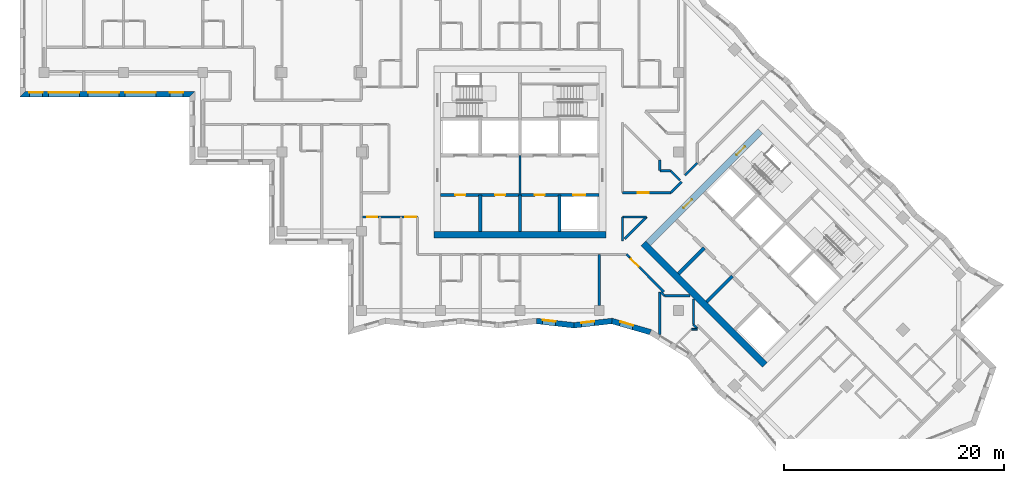
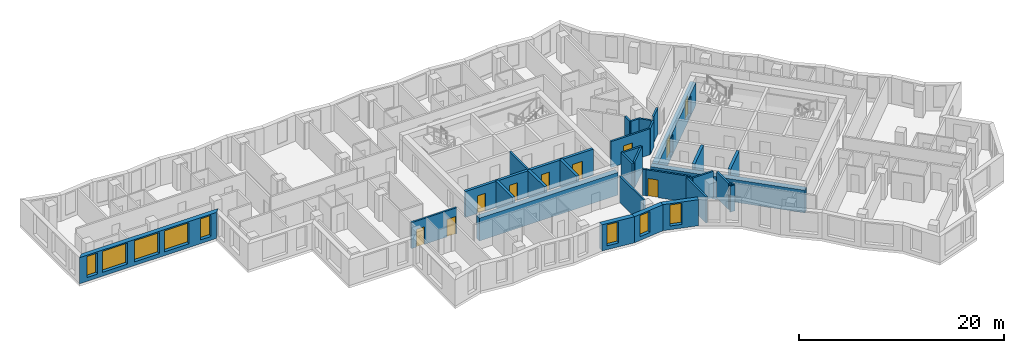
# One storey, part 3 of 12: 33 walls, 10 doors, 8 windows, 18 openings.
"""IFC4 building model written with IfcOpenShell, lengths in metres."""

from ifc_helpers import new_model, si_unit, direction, frame, frame_2d, origin, place, context, subcontext, project, spatial, polyline, rectangle, outline, extrude, material, layer, layer_set, type_object, element, fill, save


model = new_model("IFC4")

# Units and contexts
model_context = context("Model", 3, precision=1e-05, world=origin(), true_north=direction((0.0, 1.0)))
body_context = subcontext(model_context, "Body", "Model", "MODEL_VIEW")
ifc_project = project(units=[si_unit("LENGTHUNIT", "METRE"), si_unit("AREAUNIT", "SQUARE_METRE"), si_unit("VOLUMEUNIT", "CUBIC_METRE"), si_unit("PLANEANGLEUNIT", "RADIAN"), si_unit("MASSUNIT", "GRAM", prefix="KILO")], contexts=[model_context])

# Site, building, storey
site_placement = place(None, origin())
site = spatial("IfcSite", under=ifc_project, at=site_placement, CompositionType="ELEMENT")
building_placement = place(site_placement, origin())
building = spatial("IfcBuilding", under=site, at=building_placement, Name="Windrow Commons", CompositionType="ELEMENT")
storey_placement = place(building_placement, frame((0.0, 0.0, 145.6)))
storey = spatial("IfcBuildingStorey", under=building, at=storey_placement, Name="L39", CompositionType="ELEMENT", Elevation=145.6)

# Wall, openings, windows
ifc_material_1 = material(Name="Brick masonry, red clay brick", Category="masonry")
ifc_layer_1 = layer(ifc_material_1, 0.5)
ifc_layer_set_1 = layer_set([ifc_layer_1], Name="Brick facade wall 500")
wall_type_1 = type_object("IfcWallType", Name="Brick facade wall 500", PredefinedType="SOLIDWALL", material=ifc_layer_set_1)
wall_1_placement = place(storey_placement, frame((19.659, 62.859, 0.0), z_axis=(0.0, 0.0, 1.0), x_axis=(1.0, 0.0, 0.0)))
wall_1 = element("IfcWall", 1, at=wall_1_placement, inside=storey, type_object=wall_type_1, Name="Brick facade wall L39 36", PredefinedType="SOLIDWALL", context=body_context, shape_type="SweptSolid", body=[
    extrude(outline(polyline([(-0.25, -0.25), (15.141, -0.25), (15.641, 0.25), (0.25, 0.25), (-0.25, -0.25)])), origin(), (0.0, 0.0, 1.0), 3.1),
])
opening_1_placement = place(wall_1_placement, frame((2.341, 0.0, 0.45)))
opening_1 = element("IfcOpeningElement", 2, at=opening_1_placement, cuts=wall_1, Name="Opening W1U", PredefinedType="OPENING", context=body_context, shape_type="SweptSolid", body=[
    extrude(rectangle(XDim=2.8, YDim=2.5, at=frame_2d((1.4, 1.25))), frame((0.0, 0.26, 0.0), z_axis=(0.0, -1.0, 0.0), x_axis=(1.0, 0.0, 0.0)), (0.0, 0.0, 1.0), 0.52),
])
opening_2_placement = place(wall_1_placement, frame((5.941, 0.0, 0.45)))
opening_2 = element("IfcOpeningElement", 3, at=opening_2_placement, cuts=wall_1, Name="Opening W1U", PredefinedType="OPENING", context=body_context, shape_type="SweptSolid", body=[
    extrude(rectangle(XDim=2.8, YDim=2.5, at=frame_2d((1.4, 1.25))), frame((0.0, 0.26, 0.0), z_axis=(0.0, -1.0, 0.0), x_axis=(1.0, 0.0, 0.0)), (0.0, 0.0, 1.0), 0.52),
])
opening_3_placement = place(wall_1_placement, frame((9.291, 0.0, 0.45)))
opening_3 = element("IfcOpeningElement", 4, at=opening_3_placement, cuts=wall_1, Name="Opening W1U", PredefinedType="OPENING", context=body_context, shape_type="SweptSolid", body=[
    extrude(rectangle(XDim=2.8, YDim=2.5, at=frame_2d((1.4, 1.25))), frame((0.0, 0.26, 0.0), z_axis=(0.0, -1.0, 0.0), x_axis=(1.0, 0.0, 0.0)), (0.0, 0.0, 1.0), 0.52),
])
opening_4_placement = place(wall_1_placement, frame((0.5955, 0.0, 0.45)))
opening_4 = element("IfcOpeningElement", 5, at=opening_4_placement, cuts=wall_1, Name="Opening W7E", PredefinedType="OPENING", context=body_context, shape_type="SweptSolid", body=[
    extrude(rectangle(XDim=1.2, YDim=2.5, at=frame_2d((0.6, 1.25))), frame((0.0, 0.26, 0.0), z_axis=(0.0, -1.0, 0.0), x_axis=(1.0, 0.0, 0.0)), (0.0, 0.0, 1.0), 0.52),
])
opening_5_placement = place(wall_1_placement, frame((13.366, 0.0, 0.45)))
opening_5 = element("IfcOpeningElement", 6, at=opening_5_placement, cuts=wall_1, Name="Opening W7E", PredefinedType="OPENING", context=body_context, shape_type="SweptSolid", body=[
    extrude(rectangle(XDim=1.2, YDim=2.5, at=frame_2d((0.6, 1.25))), frame((0.0, 0.26, 0.0), z_axis=(0.0, -1.0, 0.0), x_axis=(1.0, 0.0, 0.0)), (0.0, 0.0, 1.0), 0.52),
])
ifc_material_2 = material(Name="Clear float glass in anodised aluminium frame", Category="aluminium")
window_type_1 = type_object("IfcWindowType", Name="Window W1U bedroom 2800x2500", PartitioningType="SINGLE_PANEL", PredefinedType="WINDOW", material=ifc_material_2)
window_1_placement = place(opening_1_placement, origin())
window_1 = element("IfcWindow", 7, at=window_1_placement, inside=storey, type_object=window_type_1, Name="Window L39 36.1", OverallHeight=2.5, OverallWidth=2.8, PartitioningType="SINGLE_PANEL", PredefinedType="WINDOW", context=body_context, shape_type="SweptSolid", body=[
    extrude(rectangle(XDim=2.8, YDim=2.5, at=frame_2d((1.4, 1.25))), frame((0.0, 0.18, 0.0), z_axis=(0.0, -1.0, 0.0), x_axis=(1.0, 0.0, 0.0)), (0.0, 0.0, 1.0), 0.06),
])
fill(opening_1, window_1)
window_2_placement = place(opening_2_placement, origin())
window_2 = element("IfcWindow", 8, at=window_2_placement, inside=storey, type_object=window_type_1, Name="Window L39 36.2", OverallHeight=2.5, OverallWidth=2.8, PartitioningType="SINGLE_PANEL", PredefinedType="WINDOW", context=body_context, shape_type="SweptSolid", body=[
    extrude(rectangle(XDim=2.8, YDim=2.5, at=frame_2d((1.4, 1.25))), frame((0.0, 0.18, 0.0), z_axis=(0.0, -1.0, 0.0), x_axis=(1.0, 0.0, 0.0)), (0.0, 0.0, 1.0), 0.06),
])
fill(opening_2, window_2)
window_3_placement = place(opening_3_placement, origin())
window_3 = element("IfcWindow", 9, at=window_3_placement, inside=storey, type_object=window_type_1, Name="Window L39 36.3", OverallHeight=2.5, OverallWidth=2.8, PartitioningType="SINGLE_PANEL", PredefinedType="WINDOW", context=body_context, shape_type="SweptSolid", body=[
    extrude(rectangle(XDim=2.8, YDim=2.5, at=frame_2d((1.4, 1.25))), frame((0.0, 0.18, 0.0), z_axis=(0.0, -1.0, 0.0), x_axis=(1.0, 0.0, 0.0)), (0.0, 0.0, 1.0), 0.06),
])
fill(opening_3, window_3)
ifc_material_3 = material(Name="Clear float glass in anodised aluminium frame", Category="aluminium")
window_type_2 = type_object("IfcWindowType", Name="Window W7 notch 1200x2500", PartitioningType="SINGLE_PANEL", PredefinedType="WINDOW", material=ifc_material_3)
window_4_placement = place(opening_4_placement, origin())
window_4 = element("IfcWindow", 10, at=window_4_placement, inside=storey, type_object=window_type_2, Name="Window L39 36.4", OverallHeight=2.5, OverallWidth=1.2, PartitioningType="SINGLE_PANEL", PredefinedType="WINDOW", context=body_context, shape_type="SweptSolid", body=[
    extrude(rectangle(XDim=1.2, YDim=2.5, at=frame_2d((0.6, 1.25))), frame((0.0, 0.18, 0.0), z_axis=(0.0, -1.0, 0.0), x_axis=(1.0, 0.0, 0.0)), (0.0, 0.0, 1.0), 0.06),
])
fill(opening_4, window_4)
window_5_placement = place(opening_5_placement, origin())
window_5 = element("IfcWindow", 11, at=window_5_placement, inside=storey, type_object=window_type_2, Name="Window L39 36.5", OverallHeight=2.5, OverallWidth=1.2, PartitioningType="SINGLE_PANEL", PredefinedType="WINDOW", context=body_context, shape_type="SweptSolid", body=[
    extrude(rectangle(XDim=1.2, YDim=2.5, at=frame_2d((0.6, 1.25))), frame((0.0, 0.18, 0.0), z_axis=(0.0, -1.0, 0.0), x_axis=(1.0, 0.0, 0.0)), (0.0, 0.0, 1.0), 0.06),
])
fill(opening_5, window_5)

# Wall, opening, window
wall_2_placement = place(storey_placement, frame((66.2909, 42.2516, 0.0), z_axis=(0.0, 0.0, 1.0), x_axis=(0.9935212381, -0.1136465988, 0.0)))
wall_2 = element("IfcWall", 12, at=wall_2_placement, inside=storey, type_object=wall_type_1, Name="Brick facade wall L39 47", PredefinedType="SOLIDWALL", context=body_context, shape_type="SweptSolid", body=[
    extrude(outline(polyline([(0.0286, -0.25), (3.4691, -0.25), (3.4119, 0.25), (-0.0286, 0.25), (0.0286, -0.25)])), origin(), (0.0, 0.0, 1.0), 3.1),
])
opening_6_placement = place(wall_2_placement, frame((0.5614, 0.0, 0.45)))
opening_6 = element("IfcOpeningElement", 13, at=opening_6_placement, cuts=wall_2, Name="Opening W7E", PredefinedType="OPENING", context=body_context, shape_type="SweptSolid", body=[
    extrude(rectangle(XDim=1.2, YDim=2.5, at=frame_2d((0.6, 1.25))), frame((0.0, 0.26, 0.0), z_axis=(0.0, -1.0, 0.0), x_axis=(1.0, 0.0, 0.0)), (0.0, 0.0, 1.0), 0.52),
])
window_6_placement = place(opening_6_placement, origin())
window_6 = element("IfcWindow", 14, at=window_6_placement, inside=storey, type_object=window_type_2, Name="Window L39 47.1", OverallHeight=2.5, OverallWidth=1.2, PartitioningType="SINGLE_PANEL", PredefinedType="WINDOW", context=body_context, shape_type="SweptSolid", body=[
    extrude(rectangle(XDim=1.2, YDim=2.5, at=frame_2d((0.6, 1.25))), frame((0.0, 0.18, 0.0), z_axis=(0.0, -1.0, 0.0), x_axis=(1.0, 0.0, 0.0)), (0.0, 0.0, 1.0), 0.06),
])
fill(opening_6, window_6)

wall_3_placement = place(storey_placement, frame((69.7091, 41.8606, 0.0), z_axis=(0.0, 0.0, 1.0), x_axis=(0.9935195387, 0.1136614544, 0.0)))
wall_3 = element("IfcWall", 15, at=wall_3_placement, inside=storey, type_object=wall_type_1, Name="Brick facade wall L39 48", PredefinedType="SOLIDWALL", context=body_context, shape_type="SweptSolid", body=[
    extrude(outline(polyline([(-0.0286, -0.25), (3.4119, -0.25), (3.5122, 0.25), (0.0286, 0.25), (-0.0286, -0.25)])), origin(), (0.0, 0.0, 1.0), 3.1),
])
opening_7_placement = place(wall_3_placement, frame((0.6672, 0.0, 0.45)))
opening_7 = element("IfcOpeningElement", 16, at=opening_7_placement, cuts=wall_3, Name="Opening W7E", PredefinedType="OPENING", context=body_context, shape_type="SweptSolid", body=[
    extrude(rectangle(XDim=1.2, YDim=2.5, at=frame_2d((0.6, 1.25))), frame((0.0, 0.26, 0.0), z_axis=(0.0, -1.0, 0.0), x_axis=(1.0, 0.0, 0.0)), (0.0, 0.0, 1.0), 0.52),
])
window_7_placement = place(opening_7_placement, origin())
window_7 = element("IfcWindow", 17, at=window_7_placement, inside=storey, type_object=window_type_2, Name="Window L39 48.1", OverallHeight=2.5, OverallWidth=1.2, PartitioningType="SINGLE_PANEL", PredefinedType="WINDOW", context=body_context, shape_type="SweptSolid", body=[
    extrude(rectangle(XDim=1.2, YDim=2.5, at=frame_2d((0.6, 1.25))), frame((0.0, 0.18, 0.0), z_axis=(0.0, -1.0, 0.0), x_axis=(1.0, 0.0, 0.0)), (0.0, 0.0, 1.0), 0.06),
])
fill(opening_7, window_7)

wall_4_placement = place(storey_placement, frame((73.1487, 42.2541, 0.0), z_axis=(0.0, 0.0, 1.0), x_axis=(0.9604495537, -0.2784540442, 0.0)))
wall_4 = element("IfcWall", 18, at=wall_4_placement, inside=storey, type_object=wall_type_1, Name="Brick facade wall L39 49", PredefinedType="SOLIDWALL", context=body_context, shape_type="SweptSolid", body=[
    extrude(outline(polyline([(0.0502, -0.25), (3.6091, -0.25), (3.6754, 0.25), (-0.0502, 0.25), (0.0502, -0.25)])), origin(), (0.0, 0.0, 1.0), 3.1),
])
opening_8_placement = place(wall_4_placement, frame((0.7761, 0.0, 0.45)))
opening_8 = element("IfcOpeningElement", 19, at=opening_8_placement, cuts=wall_4, Name="Opening W7E", PredefinedType="OPENING", context=body_context, shape_type="SweptSolid", body=[
    extrude(rectangle(XDim=1.2, YDim=2.5, at=frame_2d((0.6, 1.25))), frame((0.0, 0.26, 0.0), z_axis=(0.0, -1.0, 0.0), x_axis=(1.0, 0.0, 0.0)), (0.0, 0.0, 1.0), 0.52),
])
window_8_placement = place(opening_8_placement, origin())
window_8 = element("IfcWindow", 20, at=window_8_placement, inside=storey, type_object=window_type_2, Name="Window L39 49.1", OverallHeight=2.5, OverallWidth=1.2, PartitioningType="SINGLE_PANEL", PredefinedType="WINDOW", context=body_context, shape_type="SweptSolid", body=[
    extrude(rectangle(XDim=1.2, YDim=2.5, at=frame_2d((0.6, 1.25))), frame((0.0, 0.18, 0.0), z_axis=(0.0, -1.0, 0.0), x_axis=(1.0, 0.0, 0.0)), (0.0, 0.0, 1.0), 0.06),
])
fill(opening_8, window_8)

# Wall
ifc_material_4 = material(Name="Blockwork partition", Category="masonry")
ifc_layer_2 = layer(ifc_material_4, 0.2)
ifc_layer_set_2 = layer_set([ifc_layer_2], Name="Fire lobby partition 200")
wall_type_2 = type_object("IfcWallType", Name="Fire lobby partition 200", PredefinedType="PARTITIONING", material=ifc_layer_set_2)
wall_5_placement = place(storey_placement, frame((64.8, 53.7, 0.0), z_axis=(0.0, 0.0, 1.0), x_axis=(0.0, 1.0, 0.0)))
element("IfcWall", 21, at=wall_5_placement, inside=storey, type_object=wall_type_2, Name="W-core-lobby-A-L39", PredefinedType="PARTITIONING", context=body_context, shape_type="SweptSolid", body=[
    extrude(rectangle(XDim=3.6, YDim=0.2, at=frame_2d((1.8, 0.0))), origin(), (0.0, 0.0, 1.0), 3.1),
])

# Wall, openings, doors
ifc_material_5 = material(Name="Blockwork partition", Category="masonry")
ifc_layer_3 = layer(ifc_material_5, 0.2)
ifc_layer_set_3 = layer_set([ifc_layer_3], Name="IW-CORRIDOR-200")
wall_type_3 = type_object("IfcWallType", Name="IW-CORRIDOR-200", PredefinedType="PARTITIONING", material=ifc_layer_set_3)
wall_6_placement = place(storey_placement, frame((50.4, 51.7, 0.0), z_axis=(0.0, 0.0, 1.0), x_axis=(1.0, 0.0, 0.0)))
wall_6 = element("IfcWall", 22, at=wall_6_placement, inside=storey, type_object=wall_type_3, Name="W-L39-W036", PredefinedType="PARTITIONING", context=body_context, shape_type="SweptSolid", body=[
    extrude(rectangle(XDim=5.1, YDim=0.2, at=frame_2d((2.55, 0.0))), origin(), (0.0, 0.0, 1.0), 3.1),
])
opening_9_placement = place(wall_6_placement, frame((0.5517, 0.0, 0.0)))
opening_9 = element("IfcOpeningElement", 23, at=opening_9_placement, cuts=wall_6, Name="Opening D109S", PredefinedType="OPENING", context=body_context, shape_type="SweptSolid", body=[
    extrude(rectangle(XDim=0.9, YDim=2.1, at=frame_2d((0.45, 1.05))), frame((0.0, 0.11, 0.0), z_axis=(0.0, -1.0, 0.0), x_axis=(1.0, 0.0, 0.0)), (0.0, 0.0, 1.0), 0.22),
])
opening_10_placement = place(wall_6_placement, frame((3.976, 0.0, 0.0)))
opening_10 = element("IfcOpeningElement", 24, at=opening_10_placement, cuts=wall_6, Name="Opening D310F", PredefinedType="OPENING", context=body_context, shape_type="SweptSolid", body=[
    extrude(rectangle(XDim=1.0, YDim=2.1, at=frame_2d((0.5, 1.05))), frame((0.0, 0.11, 0.0), z_axis=(0.0, -1.0, 0.0), x_axis=(1.0, 0.0, 0.0)), (0.0, 0.0, 1.0), 0.22),
])
ifc_material_6 = material(Name="Timber door leaf", Category="wood")
door_type_1 = type_object("IfcDoorType", Name="DT-AMENITY-1000", OperationType="SINGLE_SWING_LEFT", PredefinedType="DOOR", material=ifc_material_6)
door_1_placement = place(opening_10_placement, origin())
door_1 = element("IfcDoor", 25, at=door_1_placement, inside=storey, type_object=door_type_1, Name="D-L39-D032", OperationType="SINGLE_SWING_RIGHT", OverallHeight=2.1, OverallWidth=1.0, PredefinedType="DOOR", context=body_context, shape_type="SweptSolid", body=[
    extrude(rectangle(XDim=1.0, YDim=2.1, at=frame_2d((0.5, 1.05))), frame((0.0, 0.025, 0.0), z_axis=(0.0, -1.0, 0.0), x_axis=(1.0, 0.0, 0.0)), (0.0, 0.0, 1.0), 0.05),
])
fill(opening_10, door_1)
ifc_material_7 = material(Name="Timber door leaf", Category="wood")
door_type_2 = type_object("IfcDoorType", Name="DT-BEDROOM-900", OperationType="SINGLE_SWING_LEFT", PredefinedType="DOOR", material=ifc_material_7)
door_2_placement = place(opening_9_placement, origin())
door_2 = element("IfcDoor", 26, at=door_2_placement, inside=storey, type_object=door_type_2, Name="D-L39-D030", OperationType="SINGLE_SWING_LEFT", OverallHeight=2.1, OverallWidth=0.9, PredefinedType="DOOR", context=body_context, shape_type="SweptSolid", body=[
    extrude(rectangle(XDim=0.9, YDim=2.1, at=frame_2d((0.45, 1.05))), frame((0.0, 0.025, 0.0), z_axis=(0.0, -1.0, 0.0), x_axis=(1.0, 0.0, 0.0)), (0.0, 0.0, 1.0), 0.05),
])
fill(opening_9, door_2)

# Wall, opening, door
wall_7_placement = place(storey_placement, frame((74.7447, 48.0287, 0.0), z_axis=(0.0, 0.0, 1.0), x_axis=(0.7068806156, -0.7073328745, 0.0)))
wall_7 = element("IfcWall", 27, at=wall_7_placement, inside=storey, type_object=wall_type_3, Name="W-L39-W042", PredefinedType="PARTITIONING", context=body_context, shape_type="SweptSolid", body=[
    extrude(rectangle(XDim=4.4222, YDim=0.2, at=frame_2d((2.2111, 0.0))), origin(), (0.0, 0.0, 1.0), 3.1),
])
opening_11_placement = place(wall_7_placement, frame((0.1993, 0.0, 0.0)))
opening_11 = element("IfcOpeningElement", 28, at=opening_11_placement, cuts=wall_7, Name="Opening D310F", PredefinedType="OPENING", context=body_context, shape_type="SweptSolid", body=[
    extrude(rectangle(XDim=1.0, YDim=2.1, at=frame_2d((0.5, 1.05))), frame((0.0, 0.11, 0.0), z_axis=(0.0, -1.0, 0.0), x_axis=(1.0, 0.0, 0.0)), (0.0, 0.0, 1.0), 0.22),
])
door_3_placement = place(opening_11_placement, origin())
door_3 = element("IfcDoor", 29, at=door_3_placement, inside=storey, type_object=door_type_1, Name="D-L39-D038", OperationType="SINGLE_SWING_LEFT", OverallHeight=2.1, OverallWidth=1.0, PredefinedType="DOOR", context=body_context, shape_type="SweptSolid", body=[
    extrude(rectangle(XDim=1.0, YDim=2.1, at=frame_2d((0.5, 1.05))), frame((0.0, 0.025, 0.0), z_axis=(0.0, -1.0, 0.0), x_axis=(1.0, 0.0, 0.0)), (0.0, 0.0, 1.0), 0.05),
])
fill(opening_11, door_3)

wall_8_placement = place(storey_placement, frame((74.102, 53.9, 0.0), z_axis=(0.0, 0.0, 1.0), x_axis=(1.0, 0.0, 0.0)))
wall_8 = element("IfcWall", 30, at=wall_8_placement, inside=storey, type_object=wall_type_3, Name="W-L39-W043", PredefinedType="PARTITIONING", context=body_context, shape_type="SweptSolid", body=[
    extrude(rectangle(XDim=4.392, YDim=0.2, at=frame_2d((2.196, 0.0))), origin(), (0.0, 0.0, 1.0), 3.1),
])
opening_12_placement = place(wall_8_placement, frame((1.4153, 0.0, 0.0)))
opening_12 = element("IfcOpeningElement", 31, at=opening_12_placement, cuts=wall_8, Name="Opening D310F", PredefinedType="OPENING", context=body_context, shape_type="SweptSolid", body=[
    extrude(rectangle(XDim=1.0, YDim=2.1, at=frame_2d((0.5, 1.05))), frame((0.0, 0.11, 0.0), z_axis=(0.0, -1.0, 0.0), x_axis=(1.0, 0.0, 0.0)), (0.0, 0.0, 1.0), 0.22),
])
door_4_placement = place(opening_12_placement, origin())
door_4 = element("IfcDoor", 32, at=door_4_placement, inside=storey, type_object=door_type_1, Name="D-L39-D000", OperationType="SINGLE_SWING_LEFT", OverallHeight=2.1, OverallWidth=1.0, PredefinedType="DOOR", context=body_context, shape_type="SweptSolid", body=[
    extrude(rectangle(XDim=1.0, YDim=2.1, at=frame_2d((0.5, 1.05))), frame((0.0, 0.025, 0.0), z_axis=(0.0, -1.0, 0.0), x_axis=(1.0, 0.0, 0.0)), (0.0, 0.0, 1.0), 0.05),
])
fill(opening_12, door_4)

# Walls
wall_9_placement = place(storey_placement, frame((74.3024, 49.7036, 0.0), z_axis=(0.0, 0.0, 1.0), x_axis=(0.7074614873, 0.706751897, 0.0)))
element("IfcWall", 33, at=wall_9_placement, inside=storey, type_object=wall_type_3, Name="W-L39-W060", PredefinedType="PARTITIONING", context=body_context, shape_type="SweptSolid", body=[
    extrude(rectangle(XDim=2.8185, YDim=0.2, at=frame_2d((1.4092, 0.0))), origin(), (0.0, 0.0, 1.0), 3.1),
])
for number, where, z_axis, x_axis, name in (
    (34, (77.942, 44.55, 0.0), (0.0, 0.0, 1.0), (1.0, 0.0, 0.0), "W-L39-W099"),
    (35, (80.55, 41.942, 0.0), (0.0, 0.0, 1.0), (0.0, 1.0, 0.0), "W-L39-W100"),
):
    element("IfcWall", number, at=place(storey_placement, frame(where, z_axis=z_axis, x_axis=x_axis)), inside=storey, type_object=wall_type_3, Name=name, PredefinedType="PARTITIONING", context=body_context, shape_type="SweptSolid", body=[
        extrude(rectangle(XDim=2.29, YDim=0.2, at=frame_2d((1.145, 0.0))), origin(), (0.0, 0.0, 1.0), 3.1),
    ])
wall_10_placement = place(storey_placement, frame((74.1, 49.508, 0.0), z_axis=(0.0, 0.0, 1.0), x_axis=(0.0, 1.0, 0.0)))
element("IfcWall", 36, at=wall_10_placement, inside=storey, type_object=wall_type_3, Name="W-L39-W111", PredefinedType="PARTITIONING", context=body_context, shape_type="SweptSolid", body=[
    extrude(rectangle(XDim=2.192, YDim=0.2, at=frame_2d((1.096, 0.0))), origin(), (0.0, 0.0, 1.0), 3.1),
])
wall_11_placement = place(storey_placement, frame((74.102, 51.7, 0.0), z_axis=(0.0, 0.0, 1.0), x_axis=(1.0, 0.0, 0.0)))
element("IfcWall", 37, at=wall_11_placement, inside=storey, type_object=wall_type_3, Name="W-L39-W112", PredefinedType="PARTITIONING", context=body_context, shape_type="SweptSolid", body=[
    extrude(rectangle(XDim=2.19, YDim=0.2, at=frame_2d((1.095, 0.0))), origin(), (0.0, 0.0, 1.0), 3.1),
])
wall_12_placement = place(storey_placement, frame((79.8012, 55.4908, 0.0), z_axis=(0.0, 0.0, 1.0), x_axis=(0.7071067812, 0.7071067812, 0.0)))
element("IfcWall", 38, at=wall_12_placement, inside=storey, type_object=wall_type_3, Name="W-L39-W144", PredefinedType="PARTITIONING", context=body_context, shape_type="SweptSolid", body=[
    extrude(rectangle(XDim=1.5528, YDim=0.2, at=frame_2d((0.7764, 0.0))), origin(), (0.0, 0.0, 1.0), 3.1),
])
wall_13_placement = place(storey_placement, frame((78.4936, 53.9004, 0.0), z_axis=(0.0, 0.0, 1.0), x_axis=(0.7071067812, 0.7071067812, 0.0)))
element("IfcWall", 39, at=wall_13_placement, inside=storey, type_object=wall_type_3, Name="W-L39-W146", PredefinedType="PARTITIONING", context=body_context, shape_type="SweptSolid", body=[
    extrude(rectangle(XDim=1.3972, YDim=0.2, at=frame_2d((0.6986, 0.0))), origin(), (0.0, 0.0, 1.0), 3.1),
])
wall_14_placement = place(storey_placement, frame((78.4753, 55.9033, 0.0), z_axis=(0.0, 0.0, 1.0), x_axis=(0.7071067812, -0.7071067812, 0.0)))
element("IfcWall", 40, at=wall_14_placement, inside=storey, type_object=wall_type_3, Name="W-L39-W149", PredefinedType="PARTITIONING", context=body_context, shape_type="SweptSolid", body=[
    extrude(rectangle(XDim=1.2304, YDim=0.2, at=frame_2d((0.6152, 0.0))), origin(), (0.0, 0.0, 1.0), 3.1),
])
wall_15_placement = place(storey_placement, frame((77.5, 55.9, 0.0), z_axis=(0.0, 0.0, 1.0), x_axis=(0.0, 1.0, 0.0)))
element("IfcWall", 41, at=wall_15_placement, inside=storey, type_object=wall_type_3, Name="W-L39-W155", PredefinedType="PARTITIONING", context=body_context, shape_type="SweptSolid", body=[
    extrude(rectangle(XDim=0.97, YDim=0.2, at=frame_2d((0.485, 0.0))), origin(), (0.0, 0.0, 1.0), 3.1),
])
wall_16_placement = place(storey_placement, frame((77.502, 55.9, 0.0), z_axis=(0.0, 0.0, 1.0), x_axis=(1.0, 0.0, 0.0)))
element("IfcWall", 42, at=wall_16_placement, inside=storey, type_object=wall_type_3, Name="W-L39-W156", PredefinedType="PARTITIONING", context=body_context, shape_type="SweptSolid", body=[
    extrude(rectangle(XDim=0.968, YDim=0.2, at=frame_2d((0.484, 0.0))), origin(), (0.0, 0.0, 1.0), 3.1),
])
for number, where, z_axis, x_axis, name in (
    (43, (77.5885, 44.8965, 0.0), (0.0, 0.0, 1.0), (0.7071067812, -0.7071067812, 0.0), "W-L39-W172"),
    (44, (80.5465, 41.9385, 0.0), (0.0, 0.0, 1.0), (0.7071067812, -0.7071067812, 0.0), "W-L39-W173"),
):
    element("IfcWall", number, at=place(storey_placement, frame(where, z_axis=z_axis, x_axis=x_axis)), inside=storey, type_object=wall_type_3, Name=name, PredefinedType="PARTITIONING", context=body_context, shape_type="SweptSolid", body=[
        extrude(rectangle(XDim=0.495, YDim=0.2, at=frame_2d((0.2475, 0.0))), origin(), (0.0, 0.0, 1.0), 3.1),
    ])
wall_17_placement = place(storey_placement, frame((74.4772, 48.3032, 0.0), z_axis=(0.0, 0.0, 1.0), x_axis=(0.7097111995, -0.7044927348, 0.0)))
element("IfcWall", 45, at=wall_17_placement, inside=storey, type_object=wall_type_3, Name="W-L39-W174", PredefinedType="PARTITIONING", context=body_context, shape_type="SweptSolid", body=[
    extrude(rectangle(XDim=0.3833, YDim=0.2, at=frame_2d((0.1916, 0.0))), origin(), (0.0, 0.0, 1.0), 3.1),
])
ifc_material_8 = material(Name="Blockwork partition", Category="masonry")
ifc_layer_4 = layer(ifc_material_8, 0.15)
ifc_layer_set_4 = layer_set([ifc_layer_4], Name="IW-ENSUITE-150")
wall_type_4 = type_object("IfcWallType", Name="IW-ENSUITE-150", PredefinedType="PARTITIONING", material=ifc_layer_set_4)
wall_18_placement = place(storey_placement, frame((80.378, 41.5, 0.0), z_axis=(0.0, 0.0, 1.0), x_axis=(1.0, 0.0, 0.0)))
element("IfcWall", 46, at=wall_18_placement, inside=storey, type_object=wall_type_4, Name="W-L39-W171", PredefinedType="PARTITIONING", context=body_context, shape_type="SweptSolid", body=[
    extrude(rectangle(XDim=0.522, YDim=0.15, at=frame_2d((0.261, 0.0))), origin(), (0.0, 0.0, 1.0), 3.1),
])
ifc_material_9 = material(Name="Blockwork partition", Category="masonry")
ifc_layer_5 = layer(ifc_material_9, 0.2)
ifc_layer_set_5 = layer_set([ifc_layer_5], Name="IW-PARTY-200")
wall_type_5 = type_object("IfcWallType", Name="IW-PARTY-200", PredefinedType="PARTITIONING", material=ifc_layer_set_5)
wall_19_placement = place(storey_placement, frame((72.0, 43.65, 0.0), z_axis=(0.0, 0.0, 1.0), x_axis=(0.0, 1.0, 0.0)))
element("IfcWall", 47, at=wall_19_placement, inside=storey, type_object=wall_type_5, Name="W-L39-W041", PredefinedType="PARTITIONING", context=body_context, shape_type="SweptSolid", body=[
    extrude(rectangle(XDim=4.65, YDim=0.2, at=frame_2d((2.325, 0.0))), origin(), (0.0, 0.0, 1.0), 3.1),
])
wall_20_placement = place(storey_placement, frame((77.5, 41.014, 0.0), z_axis=(0.0, 0.0, 1.0), x_axis=(0.0, 1.0, 0.0)))
element("IfcWall", 48, at=wall_20_placement, inside=storey, type_object=wall_type_5, Name="W-L39-W044", PredefinedType="PARTITIONING", context=body_context, shape_type="SweptSolid", body=[
    extrude(rectangle(XDim=3.886, YDim=0.2, at=frame_2d((1.943, 0.0))), origin(), (0.0, 0.0, 1.0), 3.1),
])
ifc_material_10 = material(Name="Concrete C50/60", Category="concrete")
ifc_layer_6 = layer(ifc_material_10, 0.6)
ifc_layer_set_6 = layer_set([ifc_layer_6], Name="RC CORE WALL 600 C50/60")
wall_type_6 = type_object("IfcWallType", Name="RC CORE WALL 600 C50/60", PredefinedType="SHEAR", material=ifc_layer_set_6)
for number, where, z_axis, x_axis, name in (
    (49, (57.0, 50.1, -0.3), (0.0, 0.0, 1.0), (1.0, 0.0, 0.0), "Core A wall outer-S"),
    (50, (76.018, 49.3019, -0.3), (0.0, 0.0, 1.0), (0.7071067812, -0.7071067812, 0.0), "Core B wall outer-S"),
):
    element("IfcWall", number, at=place(storey_placement, frame(where, z_axis=z_axis, x_axis=x_axis)), inside=storey, type_object=wall_type_6, Name=name, PredefinedType="SHEAR", context=body_context, shape_type="SweptSolid", body=[
        extrude(rectangle(XDim=15.6, YDim=0.6, at=frame_2d((7.8, 0.0))), origin(), (0.0, 0.0, 1.0), 2.7),
    ])

# Wall, openings, doors
wall_21_placement = place(storey_placement, frame((76.4423, 49.3019, -0.3), z_axis=(0.0, 0.0, 1.0), x_axis=(0.7071067812, 0.7071067812, 0.0)))
wall_21 = element("IfcWall", 51, at=wall_21_placement, inside=storey, type_object=wall_type_6, Name="Core B wall outer-W", PredefinedType="SHEAR", context=body_context, shape_type="SweptSolid", body=[
    extrude(rectangle(XDim=14.3999, YDim=0.6, at=frame_2d((7.2, 0.0))), origin(), (0.0, 0.0, 1.0), 2.7),
])
opening_13_placement = place(wall_21_placement, frame((4.55, 0.0, 0.3)))
opening_13 = element("IfcOpeningElement", 52, at=opening_13_placement, cuts=wall_21, Name="Opening D6", PredefinedType="OPENING", context=body_context, shape_type="SweptSolid", body=[
    extrude(rectangle(XDim=1.1, YDim=2.1, at=frame_2d((0.55, 1.05))), frame((0.0, 0.31, 0.0), z_axis=(0.0, -1.0, 0.0), x_axis=(1.0, 0.0, 0.0)), (0.0, 0.0, 1.0), 0.62),
])
opening_14_placement = place(wall_21_placement, frame((11.35, 0.0, 0.3)))
opening_14 = element("IfcOpeningElement", 53, at=opening_14_placement, cuts=wall_21, Name="Opening D7", PredefinedType="OPENING", context=body_context, shape_type="SweptSolid", body=[
    extrude(rectangle(XDim=1.1, YDim=2.1, at=frame_2d((0.55, 1.05))), frame((0.0, 0.31, 0.0), z_axis=(0.0, -1.0, 0.0), x_axis=(1.0, 0.0, 0.0)), (0.0, 0.0, 1.0), 0.62),
])
ifc_material_11 = material(Name="Steel fire door leaf", Category="steel")
door_type_3 = type_object("IfcDoorType", Name="Core lobby door 1100", OperationType="SINGLE_SWING_LEFT", PredefinedType="DOOR", material=ifc_material_11)
door_5_placement = place(opening_13_placement, origin())
door_5 = element("IfcDoor", 54, at=door_5_placement, inside=storey, type_object=door_type_3, Name="Lift lobby door", OperationType="DOUBLE_DOOR_SINGLE_SWING", OverallHeight=2.1, OverallWidth=1.1, PredefinedType="DOOR", context=body_context, shape_type="SweptSolid", body=[
    extrude(rectangle(XDim=1.1, YDim=2.1, at=frame_2d((0.55, 1.05))), frame((0.0, 0.025, 0.0), z_axis=(0.0, -1.0, 0.0), x_axis=(1.0, 0.0, 0.0)), (0.0, 0.0, 1.0), 0.05),
])
fill(opening_13, door_5)
ifc_material_12 = material(Name="Steel fire door leaf", Category="steel")
door_type_4 = type_object("IfcDoorType", Name="Stair door 1100", OperationType="SINGLE_SWING_LEFT", PredefinedType="DOOR", material=ifc_material_12)
door_6_placement = place(opening_14_placement, origin())
door_6 = element("IfcDoor", 55, at=door_6_placement, inside=storey, type_object=door_type_4, Name="Stair door", OperationType="SINGLE_SWING_LEFT", OverallHeight=2.1, OverallWidth=1.1, PredefinedType="DOOR", context=body_context, shape_type="SweptSolid", body=[
    extrude(rectangle(XDim=1.1, YDim=2.1, at=frame_2d((0.55, 1.05))), frame((0.0, 0.025, 0.0), z_axis=(0.0, -1.0, 0.0), x_axis=(1.0, 0.0, 0.0)), (0.0, 0.0, 1.0), 0.05),
])
fill(opening_14, door_6)

# Walls
ifc_material_13 = material(Name="Concrete C50/60", Category="concrete")
ifc_layer_7 = layer(ifc_material_13, 0.3)
ifc_layer_set_7 = layer_set([ifc_layer_7], Name="RC SHAFT WALL 300 C50/60")
wall_type_7 = type_object("IfcWallType", Name="RC SHAFT WALL 300 C50/60", PredefinedType="SOLIDWALL", material=ifc_layer_set_7)
for number, where, z_axis, x_axis, name in (
    (56, (61.2, 50.4, 0.0), (0.0, 0.0, 1.0), (0.0, 1.0, 0.0), "Core A wall shaft-S1"),
    (57, (64.8, 50.4, 0.0), (0.0, 0.0, 1.0), (0.0, 1.0, 0.0), "Core A wall shaft-S2"),
    (58, (68.4, 50.4, 0.0), (0.0, 0.0, 1.0), (0.0, 1.0, 0.0), "Core A wall shaft-S3"),
):
    element("IfcWall", number, at=place(storey_placement, frame(where, z_axis=z_axis, x_axis=x_axis)), inside=storey, type_object=wall_type_7, Name=name, PredefinedType="SOLIDWALL", context=body_context, shape_type="SweptSolid", body=[
        extrude(rectangle(XDim=3.3, YDim=0.3, at=frame_2d((1.65, 0.0))), origin(), (0.0, 0.0, 1.0), 3.1),
    ])

# Wall, openings, doors
wall_22_placement = place(storey_placement, frame((57.6, 53.7, 0.0), z_axis=(0.0, 0.0, 1.0), x_axis=(1.0, 0.0, 0.0)))
wall_22 = element("IfcWall", 59, at=wall_22_placement, inside=storey, type_object=wall_type_7, Name="Core A wall lobby-S", PredefinedType="SOLIDWALL", context=body_context, shape_type="SweptSolid", body=[
    extrude(rectangle(XDim=14.4, YDim=0.3, at=frame_2d((7.2, 0.0))), origin(), (0.0, 0.0, 1.0), 3.1),
])
opening_15_placement = place(wall_22_placement, frame((1.35, 0.0, 0.0)))
opening_15 = element("IfcOpeningElement", 60, at=opening_15_placement, cuts=wall_22, Name="Opening D8", PredefinedType="OPENING", context=body_context, shape_type="SweptSolid", body=[
    extrude(rectangle(XDim=0.9, YDim=2.1, at=frame_2d((0.45, 1.05))), frame((0.0, 0.16, 0.0), z_axis=(0.0, -1.0, 0.0), x_axis=(1.0, 0.0, 0.0)), (0.0, 0.0, 1.0), 0.32),
])
opening_16_placement = place(wall_22_placement, frame((4.95, 0.0, 0.0)))
opening_16 = element("IfcOpeningElement", 61, at=opening_16_placement, cuts=wall_22, Name="Opening D8", PredefinedType="OPENING", context=body_context, shape_type="SweptSolid", body=[
    extrude(rectangle(XDim=0.9, YDim=2.1, at=frame_2d((0.45, 1.05))), frame((0.0, 0.16, 0.0), z_axis=(0.0, -1.0, 0.0), x_axis=(1.0, 0.0, 0.0)), (0.0, 0.0, 1.0), 0.32),
])
opening_17_placement = place(wall_22_placement, frame((8.55, 0.0, 0.0)))
opening_17 = element("IfcOpeningElement", 62, at=opening_17_placement, cuts=wall_22, Name="Opening D8", PredefinedType="OPENING", context=body_context, shape_type="SweptSolid", body=[
    extrude(rectangle(XDim=0.9, YDim=2.1, at=frame_2d((0.45, 1.05))), frame((0.0, 0.16, 0.0), z_axis=(0.0, -1.0, 0.0), x_axis=(1.0, 0.0, 0.0)), (0.0, 0.0, 1.0), 0.32),
])
opening_18_placement = place(wall_22_placement, frame((12.05, 0.0, 0.0)))
opening_18 = element("IfcOpeningElement", 63, at=opening_18_placement, cuts=wall_22, Name="Opening LD", PredefinedType="OPENING", context=body_context, shape_type="SweptSolid", body=[
    extrude(rectangle(XDim=1.1, YDim=2.1, at=frame_2d((0.55, 1.05))), frame((0.0, 0.16, 0.0), z_axis=(0.0, -1.0, 0.0), x_axis=(1.0, 0.0, 0.0)), (0.0, 0.0, 1.0), 0.32),
])
ifc_material_14 = material(Name="Steel fire door leaf", Category="steel")
door_type_5 = type_object("IfcDoorType", Name="Core store door 900", OperationType="SINGLE_SWING_LEFT", PredefinedType="DOOR", material=ifc_material_14)
door_7_placement = place(opening_15_placement, origin())
door_7 = element("IfcDoor", 64, at=door_7_placement, inside=storey, type_object=door_type_5, Name="Store door", OperationType="SINGLE_SWING_LEFT", OverallHeight=2.1, OverallWidth=0.9, PredefinedType="DOOR", context=body_context, shape_type="SweptSolid", body=[
    extrude(rectangle(XDim=0.9, YDim=2.1, at=frame_2d((0.45, 1.05))), frame((0.0, 0.025, 0.0), z_axis=(0.0, -1.0, 0.0), x_axis=(1.0, 0.0, 0.0)), (0.0, 0.0, 1.0), 0.05),
])
fill(opening_15, door_7)
door_8_placement = place(opening_16_placement, origin())
door_8 = element("IfcDoor", 65, at=door_8_placement, inside=storey, type_object=door_type_5, Name="Store door", OperationType="SINGLE_SWING_LEFT", OverallHeight=2.1, OverallWidth=0.9, PredefinedType="DOOR", context=body_context, shape_type="SweptSolid", body=[
    extrude(rectangle(XDim=0.9, YDim=2.1, at=frame_2d((0.45, 1.05))), frame((0.0, 0.025, 0.0), z_axis=(0.0, -1.0, 0.0), x_axis=(1.0, 0.0, 0.0)), (0.0, 0.0, 1.0), 0.05),
])
fill(opening_16, door_8)
door_9_placement = place(opening_17_placement, origin())
door_9 = element("IfcDoor", 66, at=door_9_placement, inside=storey, type_object=door_type_5, Name="Store door", OperationType="SINGLE_SWING_LEFT", OverallHeight=2.1, OverallWidth=0.9, PredefinedType="DOOR", context=body_context, shape_type="SweptSolid", body=[
    extrude(rectangle(XDim=0.9, YDim=2.1, at=frame_2d((0.45, 1.05))), frame((0.0, 0.025, 0.0), z_axis=(0.0, -1.0, 0.0), x_axis=(1.0, 0.0, 0.0)), (0.0, 0.0, 1.0), 0.05),
])
fill(opening_17, door_9)
ifc_material_15 = material(Name="Stainless steel door leaf", Category="steel")
door_type_6 = type_object("IfcDoorType", Name="Lift landing door 1100", OperationType="SLIDING_TO_LEFT", PredefinedType="DOOR", material=ifc_material_15)
door_10_placement = place(opening_18_placement, origin())
door_10 = element("IfcDoor", 67, at=door_10_placement, inside=storey, type_object=door_type_6, Name="Lift landing door", OperationType="SLIDING_TO_RIGHT", OverallHeight=2.1, OverallWidth=1.1, PredefinedType="DOOR", context=body_context, shape_type="SweptSolid", body=[
    extrude(rectangle(XDim=1.1, YDim=2.1, at=frame_2d((0.55, 1.05))), frame((0.0, 0.025, 0.0), z_axis=(0.0, -1.0, 0.0), x_axis=(1.0, 0.0, 0.0)), (0.0, 0.0, 1.0), 0.05),
])
fill(opening_18, door_10)

# Walls
wall_23_placement = place(storey_placement, frame((79.2, 46.5442, 0.0), z_axis=(0.0, 0.0, 1.0), x_axis=(0.7071219326, 0.7070916295, 0.0)))
element("IfcWall", 68, at=wall_23_placement, inside=storey, type_object=wall_type_7, Name="Core B wall shaft-S1", PredefinedType="SOLIDWALL", context=body_context, shape_type="SweptSolid", body=[
    extrude(rectangle(XDim=3.3, YDim=0.3, at=frame_2d((1.65, 0.0))), origin(), (0.0, 0.0, 1.0), 3.1),
])
wall_24_placement = place(storey_placement, frame((81.7456, 43.9986, 0.0), z_axis=(0.0, 0.0, 1.0), x_axis=(0.7071067812, 0.7071067812, 0.0)))
element("IfcWall", 69, at=wall_24_placement, inside=storey, type_object=wall_type_7, Name="Core B wall shaft-S2", PredefinedType="SOLIDWALL", context=body_context, shape_type="SweptSolid", body=[
    extrude(rectangle(XDim=3.2999, YDim=0.3, at=frame_2d((1.65, 0.0))), origin(), (0.0, 0.0, 1.0), 3.1),
])

save(model, "model.ifc")
